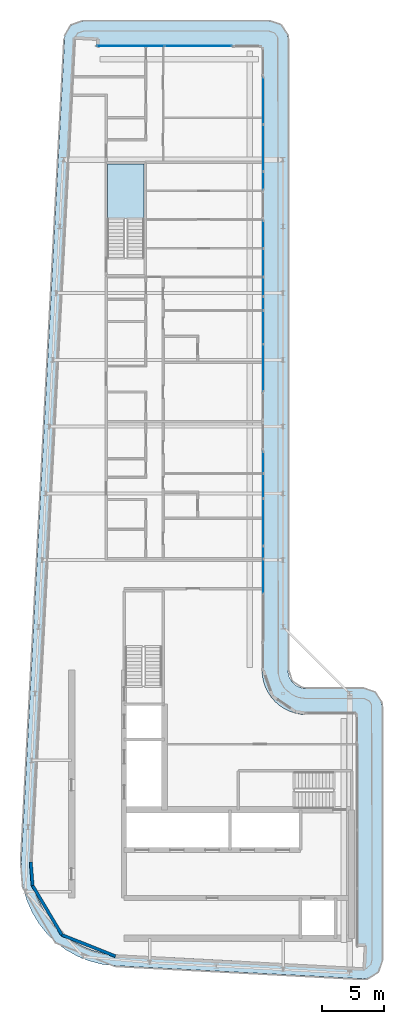
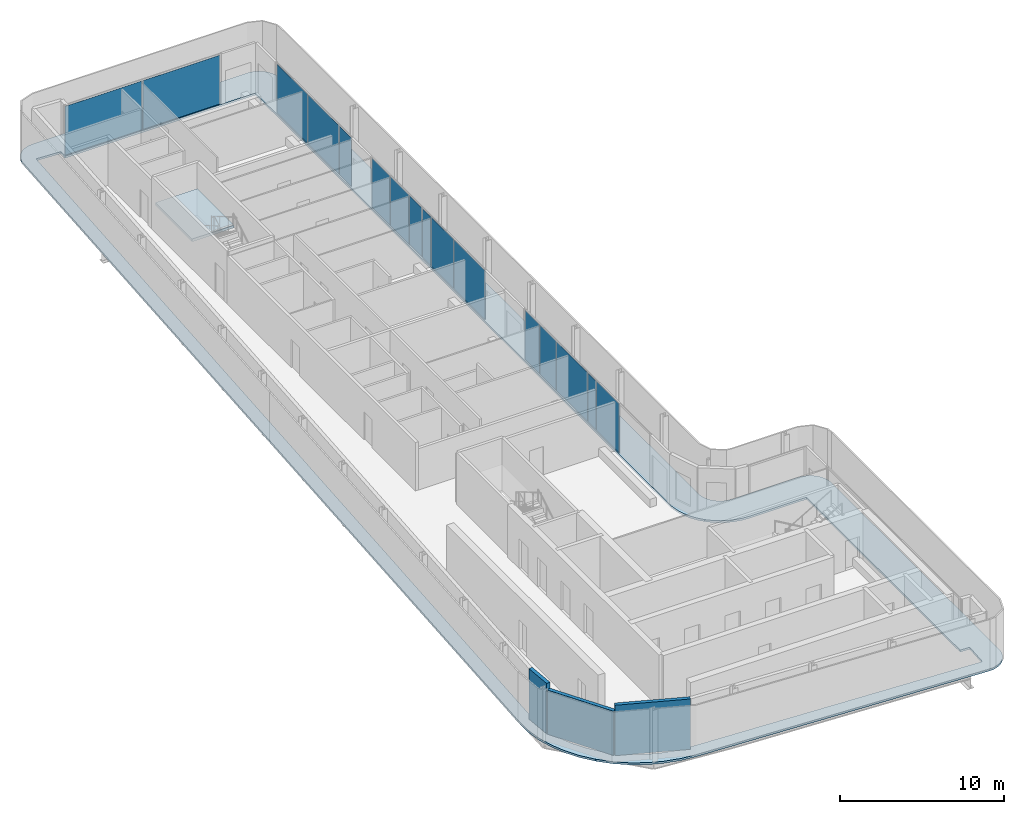
# One storey, part 8 of 18: 16 plates, 3 walls, 2 slabs, 8 elements without a shape of their own.
"""IFC4 building model written with IfcOpenShell, lengths in metres."""

import ifcopenshell
import ifcopenshell.guid

model = None  # the IFC model being written
_history = None  # IfcOwnerHistory: only IFC2X3 demands one
_inside = {}  # id of a spatial element -> (the spatial element, [elements in it])
_under = {}  # id of a project, library or spatial element -> (it, [spatial elements below it])
_declared = {}  # id of a project -> (the project, [libraries it declares])
_typed = {}  # id of a type object -> (the type object, [elements of that type])
_made_of = {}  # id of a material, layer set ... -> (it, [elements and type objects made of it])


def new_model(schema):
    """Start an empty IFC model of exactly this schema.

    Asked for "IFC4X3", IfcOpenShell would pick the latest addendum, in which some entities
    have other attributes; the version numbers below select the first issue.
    IFC2X3 requires an IfcOwnerHistory on every rooted entity: one is made here for all.
    """
    global model, _history
    if schema == "IFC4X3":
        model = ifcopenshell.file(schema_version=(4, 3, 0, 0))
    else:
        model = ifcopenshell.file(schema=schema)
    _inside.clear()
    _under.clear()
    _declared.clear()
    _typed.clear()
    _made_of.clear()
    _history = None
    if model.schema == "IFC2X3":
        org = make("IfcOrganization", Name="unknown")
        user = make(
            "IfcPersonAndOrganization",
            ThePerson=make("IfcPerson", FamilyName="unknown"),
            TheOrganization=org,
        )
        app = make(
            "IfcApplication",
            ApplicationDeveloper=org,
            Version="unknown",
            ApplicationFullName="unknown",
            ApplicationIdentifier="unknown",
        )
        _history = make(
            "IfcOwnerHistory",
            OwningUser=user,
            OwningApplication=app,
            ChangeAction="ADDED",
            CreationDate=0,
        )
    return model


def make(cls, **values):
    """One entity of the class cls with the attributes given. An attribute that is None is left unset."""
    return model.create_entity(
        cls, **{name: value for name, value in values.items() if value is not None}
    )


def rooted(cls, **values):
    """An entity with a GlobalId (a new one), such as an element, a storey or a relation."""
    return make(cls, GlobalId=ifcopenshell.guid.new(), OwnerHistory=_history, **values)


def si_unit(unit_type, name, prefix=None):
    """IfcSIUnit, for example si_unit("LENGTHUNIT", "METRE", prefix="MILLI")."""
    return make("IfcSIUnit", UnitType=unit_type, Prefix=prefix, Name=name)


def assignment(units):
    """IfcUnitAssignment: the units of a project."""
    return None if units is None else make("IfcUnitAssignment", Units=units)


def point(xyz):
    """IfcCartesianPoint."""
    return None if xyz is None else make("IfcCartesianPoint", Coordinates=xyz)


def direction(xyz):
    """IfcDirection."""
    return None if xyz is None else make("IfcDirection", DirectionRatios=xyz)


def frame(location, z_axis=None, x_axis=None):
    """IfcAxis2Placement3D, a coordinate frame: its origin and axes. An axis left out is left unset."""
    return make(
        "IfcAxis2Placement3D",
        Location=point(location),
        Axis=direction(z_axis),
        RefDirection=direction(x_axis),
    )


def frame_2d(location, x_axis=None):
    """IfcAxis2Placement2D, a coordinate frame in the plane: its origin and x axis."""
    return make(
        "IfcAxis2Placement2D", Location=point(location), RefDirection=direction(x_axis)
    )


def origin():
    """The frame at (0, 0, 0) with its axes left unset."""
    return frame((0.0, 0.0, 0.0))


def origin_2d():
    """The frame at (0, 0) in the plane with its x axis left unset."""
    return frame_2d((0.0, 0.0))


def place(relative_to, where):
    """IfcLocalPlacement: puts the frame where relative to a parent placement (None: the world)."""
    return make(
        "IfcLocalPlacement", PlacementRelTo=relative_to, RelativePlacement=where
    )


def context(
    kind, dimensions, precision=None, world=None, true_north=None, identifier=None
):
    """IfcGeometricRepresentationContext, for example the 3D "Model" context."""
    return make(
        "IfcGeometricRepresentationContext",
        ContextIdentifier=identifier,
        ContextType=kind,
        CoordinateSpaceDimension=dimensions,
        Precision=precision,
        WorldCoordinateSystem=world,
        TrueNorth=true_north,
    )


def subcontext(parent, identifier, kind, view, scale=None):
    """IfcGeometricRepresentationSubContext, for example "Body" below "Model"."""
    return make(
        "IfcGeometricRepresentationSubContext",
        ContextIdentifier=identifier,
        ContextType=kind,
        ParentContext=parent,
        TargetScale=scale,
        TargetView=view,
    )


def project(units=None, contexts=None):
    """IfcProject with its units and contexts."""
    return rooted(
        "IfcProject",
        Name="project",
        RepresentationContexts=contexts,
        UnitsInContext=assignment(units),
    )


def spatial(cls, under=None, at=None, **own):
    """A site, building, storey or space (cls), placed at a placement, below another one or the project."""
    s = rooted(cls, ObjectPlacement=at, **own)
    if under is not None:
        _under.setdefault(under.id(), (under, []))[1].append(s)
    return s


def polyline(points):
    """IfcPolyline through the points."""
    return make("IfcPolyline", Points=[point(p) for p in points])


def profile(cls, at=None, kind="AREA", **sizes):
    """A parametric profile (cls). Its sizes go by their IFC names, for example OverallWidth=200.0."""
    return make(cls, ProfileType=kind, Position=at, **sizes)


def rectangle(**sizes):
    """IfcRectangleProfileDef."""
    return profile("IfcRectangleProfileDef", **sizes)


def outline(outer, holes=None, kind="AREA"):
    """IfcArbitraryClosedProfileDef: a profile drawn as a closed curve; with holes, ...WithVoids."""
    if holes is None:
        return make("IfcArbitraryClosedProfileDef", ProfileType=kind, OuterCurve=outer)
    return make(
        "IfcArbitraryProfileDefWithVoids",
        ProfileType=kind,
        OuterCurve=outer,
        InnerCurves=holes,
    )


def extrude(swept, where, along, depth):
    """IfcExtrudedAreaSolid: the profile swept, set in the frame where, extruded along a direction by depth."""
    return make(
        "IfcExtrudedAreaSolid",
        SweptArea=swept,
        Position=where,
        ExtrudedDirection=direction(along),
        Depth=depth,
    )


def shape(context_of_items, identifier, shape_type, items):
    """IfcShapeRepresentation: the items that make up one representation, for example the "Body"."""
    return make(
        "IfcShapeRepresentation",
        ContextOfItems=context_of_items,
        RepresentationIdentifier=identifier,
        RepresentationType=shape_type,
        Items=items,
    )


def material(Name=None, Category=None):
    """IfcMaterial."""
    return make("IfcMaterial", Name=Name, Category=Category)


def layer(
    of_material, thickness, ventilated=None, Name=None, Category=None, Priority=None
):
    """IfcMaterialLayer: one layer of a wall or slab, of a material (None: an air gap)."""
    return make(
        "IfcMaterialLayer",
        Material=of_material,
        LayerThickness=thickness,
        IsVentilated=ventilated,
        Name=Name,
        Category=Category,
        Priority=Priority,
    )


def layer_set(layers, Name=None):
    """IfcMaterialLayerSet."""
    return make("IfcMaterialLayerSet", MaterialLayers=layers, LayerSetName=Name)


def made_of(thing, what):
    """Note that an element or type object is made of a material, layer set ...; save() writes the relation."""
    if what is not None:
        _made_of.setdefault(what.id(), (what, []))[1].append(thing)
    return thing


def type_object(cls, material=None, **own):
    """A type object (cls), such as IfcWallType, which elements share."""
    return made_of(rooted(cls, **own), material)


def element(
    cls,
    number,
    at=None,
    inside=None,
    cuts=None,
    type_object=None,
    material=None,
    context=None,
    identifier="Body",
    shape_type=None,
    held_by="IfcProductDefinitionShape",
    body=None,
    shapes=None,
    **own,
):
    """One element of the class cls, such as IfcWall. Its Tag is "e" and its number.

    at: its placement. inside: the storey or other place that contains it. cuts: it is an
    opening in that element (IfcRelVoidsElement). A single representation is given by context,
    identifier, shape_type and body (its items); several are given by shapes. held_by: the class
    of the entity that holds the representations. save() writes the other relations.
    """
    e = rooted(cls, Tag="e%d" % number, ObjectPlacement=at, **own)
    if body is not None:
        shapes = [shape(context, identifier, shape_type, body)]
    if shapes is not None:
        e.Representation = make(held_by, Representations=shapes)
    if inside is not None:
        _inside.setdefault(inside.id(), (inside, []))[1].append(e)
    if cuts is not None:
        rooted(
            "IfcRelVoidsElement", RelatingBuildingElement=cuts, RelatedOpeningElement=e
        )
    if type_object is not None:
        _typed.setdefault(type_object.id(), (type_object, []))[1].append(e)
    return made_of(e, material)


def aggregate(whole, parts):
    """IfcRelAggregates: a whole, such as a stair, and the parts it consists of."""
    return rooted("IfcRelAggregates", RelatingObject=whole, RelatedObjects=parts)


def save(model, path):
    """Write the relations noted so far, then the file.

    IfcRelAggregates (storeys below a building ...), IfcRelContainedInSpatialStructure (elements
    in a storey), IfcRelDefinesByType, IfcRelAssociatesMaterial and IfcRelDeclares: one each for
    every whole, place, type object, material and project.
    """
    for whole, parts in _under.values():
        aggregate(whole, parts)
    for where, things in _inside.values():
        rooted(
            "IfcRelContainedInSpatialStructure",
            RelatedElements=things,
            RelatingStructure=where,
        )
    for kind, things in _typed.values():
        rooted("IfcRelDefinesByType", RelatedObjects=things, RelatingType=kind)
    for what, things in _made_of.values():
        rooted("IfcRelAssociatesMaterial", RelatedObjects=things, RelatingMaterial=what)
    for by, libraries in _declared.values():
        rooted("IfcRelDeclares", RelatingContext=by, RelatedDefinitions=libraries)
    model.write(path)


model = new_model("IFC4")

# Units and contexts
model_context = context("Model", 3, precision=1e-05, world=origin(), true_north=direction((0.0, 1.0)))
body_context = subcontext(model_context, "Body", "Model", "MODEL_VIEW")
ifc_project = project(units=[si_unit("LENGTHUNIT", "METRE"), si_unit("AREAUNIT", "SQUARE_METRE"), si_unit("VOLUMEUNIT", "CUBIC_METRE"), si_unit("PLANEANGLEUNIT", "RADIAN"), si_unit("MASSUNIT", "GRAM", prefix="KILO")], contexts=[model_context])

# Site, building, storey
site_placement = place(None, origin())
site = spatial("IfcSite", under=ifc_project, at=site_placement, CompositionType="ELEMENT")
building_placement = place(site_placement, origin())
building = spatial("IfcBuilding", under=site, at=building_placement, Name="Kheshtan School and Residences Tower", CompositionType="ELEMENT")
storey_placement = place(building_placement, frame((0.0, 0.0, 377.300048828125)))
storey = spatial("IfcBuildingStorey", under=building, at=storey_placement, Name="L89", CompositionType="ELEMENT", Elevation=377.300048828125)

# Curtain wall, plates
ifc_material_1 = material(Name="Clear low-e glass in thermally broken aluminium frame", Category="aluminium")
ifc_layer_1 = layer(ifc_material_1, 0.199951171875)
ifc_layer_set_1 = layer_set([ifc_layer_1], Name="Curtain wall CW-L")
curtain_wall_type = type_object("IfcCurtainWallType", Name="Curtain wall CW-L", PredefinedType="NOTDEFINED", material=ifc_layer_set_1)
curtain_wall_1_placement = place(storey_placement, origin())
curtain_wall_1 = element("IfcCurtainWall", 1, at=curtain_wall_1_placement, inside=storey, type_object=curtain_wall_type, Name="Curtain wall CWL7", PredefinedType="NOTDEFINED")
ifc_layer_2 = layer(ifc_material_1, 0.031982421875)
ifc_layer_set_2 = layer_set([ifc_layer_2], Name="CW-L glass panel")
plate_type = type_object("IfcPlateType", Name="CW-L glass panel", PredefinedType="CURTAIN_PANEL", material=ifc_layer_set_2)
plate_1_placement = place(storey_placement, frame((35.259033203125, 98.0, 0.0), z_axis=(0.0, 0.0, 1.0), x_axis=(1.0, 0.0, 0.0)))
plate_1 = element("IfcPlate", 2, at=plate_1_placement, type_object=plate_type, Name="CWL7 panel 1.1", PredefinedType="CURTAIN_PANEL", context=body_context, shape_type="SweptSolid", body=[
    extrude(rectangle(XDim=5.4140625, YDim=0.031982421875, at=origin_2d()), origin(), (0.0, 0.0, 1.0), 3.6298828125),
])
plate_2_placement = place(storey_placement, frame((40.73291015625, 98.0, 0.0), z_axis=(0.0, 0.0, 1.0), x_axis=(1.0, 0.0, 0.0)))
plate_2 = element("IfcPlate", 3, at=plate_2_placement, type_object=plate_type, Name="CWL7 panel 2.1", PredefinedType="CURTAIN_PANEL", context=body_context, shape_type="SweptSolid", body=[
    extrude(rectangle(XDim=5.4140625, YDim=0.031982421875, at=origin_2d()), origin(), (0.0, 0.0, 1.0), 3.6298828125),
])
aggregate(curtain_wall_1, [plate_1, plate_2])

curtain_wall_2_placement = place(storey_placement, origin())
curtain_wall_2 = element("IfcCurtainWall", 4, at=curtain_wall_2_placement, inside=storey, type_object=curtain_wall_type, Name="Curtain wall CWL8", PredefinedType="NOTDEFINED")
plate_3_placement = place(storey_placement, frame((46.0, 93.5615234375, 0.0), z_axis=(0.0, 0.0, 1.0), x_axis=(0.0, -1.0, 0.0)))
plate_3 = element("IfcPlate", 5, at=plate_3_placement, type_object=plate_type, Name="CWL8 panel 1.1", PredefinedType="CURTAIN_PANEL", context=body_context, shape_type="SweptSolid", body=[
    extrude(rectangle(XDim=3.757080078125, YDim=0.031982421875, at=origin_2d()), origin(), (0.0, 0.0, 1.0), 3.6298828125),
])
plate_4_placement = place(storey_placement, frame((46.0, 89.744384765625, 0.0), z_axis=(0.0, 0.0, 1.0), x_axis=(0.0, -1.0, 0.0)))
plate_4 = element("IfcPlate", 6, at=plate_4_placement, type_object=plate_type, Name="CWL8 panel 2.1", PredefinedType="CURTAIN_PANEL", context=body_context, shape_type="SweptSolid", body=[
    extrude(rectangle(XDim=3.757080078125, YDim=0.031982421875, at=origin_2d()), origin(), (0.0, 0.0, 1.0), 3.6298828125),
])
aggregate(curtain_wall_2, [plate_3, plate_4])

# Curtain wall, plate
curtain_wall_3_placement = place(storey_placement, origin())
curtain_wall_3 = element("IfcCurtainWall", 7, at=curtain_wall_3_placement, inside=storey, type_object=curtain_wall_type, Name="Curtain wall CWL8a", PredefinedType="NOTDEFINED")
plate_5_placement = place(storey_placement, frame((46.0, 87.0859375, 0.0), z_axis=(0.0, 0.0, 1.0), x_axis=(0.0, -1.0, 0.0)))
plate_5 = element("IfcPlate", 8, at=plate_5_placement, type_object=plate_type, Name="CWL8a panel 1.1", PredefinedType="CURTAIN_PANEL", context=body_context, shape_type="SweptSolid", body=[
    extrude(rectangle(XDim=1.43994140625, YDim=0.031982421875, at=origin_2d()), origin(), (0.0, 0.0, 1.0), 3.6298828125),
])
aggregate(curtain_wall_3, [plate_5])

# Curtain wall, plates
curtain_wall_4_placement = place(storey_placement, origin())
curtain_wall_4 = element("IfcCurtainWall", 9, at=curtain_wall_4_placement, inside=storey, type_object=curtain_wall_type, Name="Curtain wall CWL8b", PredefinedType="NOTDEFINED")
plate_6_placement = place(storey_placement, frame((46.0, 82.75048828125, 0.0), z_axis=(0.0, 0.0, 1.0), x_axis=(0.0, -1.0, 0.0)))
plate_6 = element("IfcPlate", 10, at=plate_6_placement, type_object=plate_type, Name="CWL8b panel 1.1", PredefinedType="CURTAIN_PANEL", context=body_context, shape_type="SweptSolid", body=[
    extrude(rectangle(XDim=2.19091796875, YDim=0.031982421875, at=origin_2d()), origin(), (0.0, 0.0, 1.0), 3.6298828125),
])
plate_7_placement = place(storey_placement, frame((46.0, 80.46240234375, 0.0), z_axis=(0.0, 0.0, 1.0), x_axis=(0.0, -1.0, 0.0)))
plate_7 = element("IfcPlate", 11, at=plate_7_placement, type_object=plate_type, Name="CWL8b panel 2.1", PredefinedType="CURTAIN_PANEL", context=body_context, shape_type="SweptSolid", body=[
    extrude(rectangle(XDim=2.264892578125, YDim=0.031982421875, at=origin_2d()), origin(), (0.0, 0.0, 1.0), 3.6298828125),
])
plate_8_placement = place(storey_placement, frame((46.0, 78.52099609375, 0.0), z_axis=(0.0, 0.0, 1.0), x_axis=(0.0, -1.0, 0.0)))
plate_8 = element("IfcPlate", 12, at=plate_8_placement, type_object=plate_type, Name="CWL8b panel 3.1", PredefinedType="CURTAIN_PANEL", context=body_context, shape_type="SweptSolid", body=[
    extrude(rectangle(XDim=1.498046875, YDim=0.031982421875, at=origin_2d()), origin(), (0.0, 0.0, 1.0), 3.6298828125),
])
aggregate(curtain_wall_4, [plate_6, plate_7, plate_8])

curtain_wall_5_placement = place(storey_placement, origin())
curtain_wall_5 = element("IfcCurtainWall", 13, at=curtain_wall_5_placement, inside=storey, type_object=curtain_wall_type, Name="Curtain wall CWL8c", PredefinedType="NOTDEFINED")
plate_9_placement = place(storey_placement, frame((46.0, 77.1708984375, 0.0), z_axis=(0.0, 0.0, 1.0), x_axis=(0.0, -1.0, 0.0)))
plate_9 = element("IfcPlate", 14, at=plate_9_placement, type_object=plate_type, Name="CWL8c panel 1.1", PredefinedType="CURTAIN_PANEL", context=body_context, shape_type="SweptSolid", body=[
    extrude(rectangle(XDim=1.08203125, YDim=0.031982421875, at=origin_2d()), origin(), (0.0, 0.0, 1.0), 3.6298828125),
])
plate_10_placement = place(storey_placement, frame((46.0, 75.232421875, 0.0), z_axis=(0.0, 0.0, 1.0), x_axis=(0.0, -1.0, 0.0)))
plate_10 = element("IfcPlate", 15, at=plate_10_placement, type_object=plate_type, Name="CWL8c panel 2.1", PredefinedType="CURTAIN_PANEL", context=body_context, shape_type="SweptSolid", body=[
    extrude(rectangle(XDim=2.675048828125, YDim=0.031982421875, at=origin_2d()), origin(), (0.0, 0.0, 1.0), 3.6298828125),
])
plate_11_placement = place(storey_placement, frame((46.0, 71.95654296875, 0.0), z_axis=(0.0, 0.0, 1.0), x_axis=(0.0, -1.0, 0.0)))
plate_11 = element("IfcPlate", 16, at=plate_11_placement, type_object=plate_type, Name="CWL8c panel 3.1", PredefinedType="CURTAIN_PANEL", context=body_context, shape_type="SweptSolid", body=[
    extrude(rectangle(XDim=3.757080078125, YDim=0.031982421875, at=origin_2d()), origin(), (0.0, 0.0, 1.0), 3.6298828125),
])
aggregate(curtain_wall_5, [plate_9, plate_10, plate_11])

curtain_wall_6_placement = place(storey_placement, origin())
curtain_wall_6 = element("IfcCurtainWall", 17, at=curtain_wall_6_placement, inside=storey, type_object=curtain_wall_type, Name="Curtain wall CWL8c", PredefinedType="NOTDEFINED")
plate_12_placement = place(storey_placement, frame((46.0, 64.2939453125, 0.0), z_axis=(0.0, 0.0, 1.0), x_axis=(0.0, -1.0, 0.0)))
plate_12 = element("IfcPlate", 18, at=plate_12_placement, type_object=plate_type, Name="CWL8c panel 1.1", PredefinedType="CURTAIN_PANEL", context=body_context, shape_type="SweptSolid", body=[
    extrude(rectangle(XDim=1.72802734375, YDim=0.031982421875, at=origin_2d()), origin(), (0.0, 0.0, 1.0), 3.6298828125),
])
plate_13_placement = place(storey_placement, frame((46.0, 62.385498046875, 0.0), z_axis=(0.0, 0.0, 1.0), x_axis=(0.0, -1.0, 0.0)))
plate_13 = element("IfcPlate", 19, at=plate_13_placement, type_object=plate_type, Name="CWL8c panel 2.1", PredefinedType="CURTAIN_PANEL", context=body_context, shape_type="SweptSolid", body=[
    extrude(rectangle(XDim=1.968994140625, YDim=0.031982421875, at=origin_2d()), origin(), (0.0, 0.0, 1.0), 3.6298828125),
])
plate_14_placement = place(storey_placement, frame((46.0, 59.46240234375, 0.0), z_axis=(0.0, 0.0, 1.0), x_axis=(0.0, -1.0, 0.0)))
plate_14 = element("IfcPlate", 20, at=plate_14_placement, type_object=plate_type, Name="CWL8c panel 3.1", PredefinedType="CURTAIN_PANEL", context=body_context, shape_type="SweptSolid", body=[
    extrude(rectangle(XDim=3.757080078125, YDim=0.031982421875, at=origin_2d()), origin(), (0.0, 0.0, 1.0), 3.6298828125),
])
aggregate(curtain_wall_6, [plate_12, plate_13, plate_14])

curtain_wall_7_placement = place(storey_placement, origin())
curtain_wall_7 = element("IfcCurtainWall", 21, at=curtain_wall_7_placement, inside=storey, type_object=curtain_wall_type, Name="Curtain wall CWL8c", PredefinedType="NOTDEFINED")
plate_15_placement = place(storey_placement, frame((46.0, 57.027099609375, 0.0), z_axis=(0.0, 0.0, 1.0), x_axis=(0.0, -1.0, 0.0)))
plate_15 = element("IfcPlate", 22, at=plate_15_placement, type_object=plate_type, Name="CWL8c panel 1.1", PredefinedType="CURTAIN_PANEL", context=body_context, shape_type="SweptSolid", body=[
    extrude(rectangle(XDim=0.993896484375, YDim=0.031982421875, at=origin_2d()), origin(), (0.0, 0.0, 1.0), 3.6298828125),
])
plate_16_placement = place(storey_placement, frame((46.0, 55.08837890625, 0.0), z_axis=(0.0, 0.0, 1.0), x_axis=(0.0, -1.0, 0.0)))
plate_16 = element("IfcPlate", 23, at=plate_16_placement, type_object=plate_type, Name="CWL8c panel 2.1", PredefinedType="CURTAIN_PANEL", context=body_context, shape_type="SweptSolid", body=[
    extrude(rectangle(XDim=2.762939453125, YDim=0.031982421875, at=origin_2d()), origin(), (0.0, 0.0, 1.0), 3.6298828125),
])
aggregate(curtain_wall_7, [plate_15, plate_16])

# Slab
ifc_material_2 = material(Name="Concrete C40/50", Category="concrete")
ifc_layer_3 = layer(ifc_material_2, 0.14990234375)
ifc_layer_set_3 = layer_set([ifc_layer_3], Name="Loggia balcony slab 150 Concrete C40/50")
slab_type_1 = type_object("IfcSlabType", Name="Loggia balcony slab 150 Concrete C40/50", PredefinedType="FLOOR", material=ifc_layer_set_3)
slab_1_placement = place(storey_placement, frame((0.0, 0.0, -0.150146484375)))
element("IfcSlab", 24, at=slab_1_placement, inside=storey, type_object=slab_type_1, Name="Loggia balcony slab L89", PredefinedType="FLOOR", context=body_context, shape_type="SweptSolid", body=[
    extrude(outline(polyline([(28.4580078125, 26.222900390625), (28.45703125, 26.222900390625), (28.45703125, 26.22412109375), (28.4560546875, 26.22412109375), (27.81494140625, 27.0390625), (27.281005859375, 27.93798828125), (26.867919921875, 28.89990234375), (26.583984375, 29.89990234375), (26.583984375, 29.906982421875), (26.43408203125, 30.943115234375), (26.419921875, 31.989013671875), (29.925048828125, 98.5791015625), (29.930908203125, 98.626953125), (29.930908203125, 98.6279296875), (29.929931640625, 98.6279296875), (29.929931640625, 98.62890625), (29.928955078125, 98.62890625), (29.928955078125, 98.6298828125), (29.927978515625, 98.6298828125), (29.927978515625, 98.631103515625), (29.927001953125, 98.631103515625), (29.927001953125, 98.632080078125), (29.927001953125, 98.633056640625), (29.945068359375, 98.781005859375), (29.945068359375, 98.783935546875), (29.945068359375, 98.784912109375), (29.946044921875, 98.784912109375), (29.946044921875, 98.785888671875), (29.947021484375, 98.785888671875), (29.947021484375, 98.787109375), (29.947998046875, 98.787109375), (29.948974609375, 98.787109375), (29.948974609375, 98.7880859375), (29.949951171875, 98.7880859375), (29.949951171875, 98.7890625), (29.949951171875, 98.791015625), (30.0029296875, 98.98388671875), (30.083984375, 99.175048828125), (30.18896484375, 99.35302734375), (30.31103515625, 99.507080078125), (30.31201171875, 99.507080078125), (30.31201171875, 99.508056640625), (30.31298828125, 99.508056640625), (30.31298828125, 99.509033203125), (30.31396484375, 99.509033203125), (30.31396484375, 99.510009765625), (30.31494140625, 99.510009765625), (30.31494140625, 99.510986328125), (30.31591796875, 99.510986328125), (30.31591796875, 99.511962890625), (30.31689453125, 99.511962890625), (30.31689453125, 99.512939453125), (30.318115234375, 99.512939453125), (30.320068359375, 99.512939453125), (30.321044921875, 99.512939453125), (30.321044921875, 99.513916015625), (30.468017578125, 99.656982421875), (30.468994140625, 99.656982421875), (30.468994140625, 99.657958984375), (30.469970703125, 99.657958984375), (30.469970703125, 99.658935546875), (30.470947265625, 99.658935546875), (30.470947265625, 99.659912109375), (30.471923828125, 99.659912109375), (30.471923828125, 99.660888671875), (30.472900390625, 99.660888671875), (30.472900390625, 99.662109375), (30.47412109375, 99.662109375), (30.47412109375, 99.6630859375), (30.47509765625, 99.6630859375), (30.47509765625, 99.6640625), (30.635986328125, 99.777099609375), (30.820068359375, 99.873046875), (31.007080078125, 99.943115234375), (31.013916015625, 99.943115234375), (31.217041015625, 99.986083984375), (31.423095703125, 100.0), (46.5, 100.0), (46.696044921875, 99.987060546875), (46.887939453125, 99.948974609375), (46.89501953125, 99.948974609375), (47.073974609375, 99.885986328125), (47.242919921875, 99.801025390625), (47.243896484375, 99.801025390625), (47.2470703125, 99.801025390625), (47.248046875, 99.801025390625), (47.248046875, 99.802001953125), (47.2490234375, 99.802001953125), (47.2490234375, 99.802978515625), (47.25, 99.802978515625), (47.2529296875, 99.802978515625), (47.25390625, 99.802978515625), (47.25390625, 99.802001953125), (47.2548828125, 99.802001953125), (47.2548828125, 99.801025390625), (47.256103515625, 99.801025390625), (47.256103515625, 99.800048828125), (47.257080078125, 99.800048828125), (47.257080078125, 99.799072265625), (47.258056640625, 99.799072265625), (47.258056640625, 99.798095703125), (47.412109375, 99.696044921875), (47.4130859375, 99.696044921875), (47.4130859375, 99.695068359375), (47.4140625, 99.695068359375), (47.4140625, 99.694091796875), (47.4140625, 99.68994140625), (47.4140625, 99.68896484375), (47.4150390625, 99.68896484375), (47.4150390625, 99.68798828125), (47.416015625, 99.68798828125), (47.416015625, 99.68701171875), (47.4169921875, 99.68701171875), (47.4169921875, 99.68603515625), (47.554931640625, 99.568115234375), (47.554931640625, 99.56689453125), (47.555908203125, 99.56689453125), (47.555908203125, 99.56591796875), (47.556884765625, 99.56591796875), (47.556884765625, 99.56494140625), (47.55810546875, 99.56494140625), (47.55810546875, 99.56396484375), (47.55908203125, 99.56396484375), (47.55908203125, 99.56298828125), (47.56005859375, 99.56298828125), (47.56005859375, 99.56201171875), (47.56103515625, 99.56201171875), (47.56201171875, 99.56103515625), (47.56201171875, 99.56005859375), (47.56298828125, 99.56005859375), (47.56298828125, 99.55908203125), (47.56396484375, 99.55908203125), (47.56396484375, 99.55810546875), (47.56494140625, 99.55810546875), (47.56494140625, 99.556884765625), (47.56591796875, 99.556884765625), (47.56591796875, 99.555908203125), (47.56689453125, 99.555908203125), (47.56689453125, 99.554931640625), (47.568115234375, 99.554931640625), (47.68505859375, 99.41796875), (47.68603515625, 99.41796875), (47.68603515625, 99.4169921875), (47.68701171875, 99.4169921875), (47.68701171875, 99.416015625), (47.68798828125, 99.416015625), (47.68798828125, 99.4150390625), (47.68896484375, 99.4150390625), (47.68896484375, 99.4140625), (47.68994140625, 99.4140625), (47.694091796875, 99.4140625), (47.695068359375, 99.4140625), (47.695068359375, 99.4130859375), (47.696044921875, 99.4130859375), (47.696044921875, 99.412109375), (47.797119140625, 99.259033203125), (47.798095703125, 99.259033203125), (47.798095703125, 99.258056640625), (47.799072265625, 99.258056640625), (47.799072265625, 99.257080078125), (47.800048828125, 99.257080078125), (47.800048828125, 99.256103515625), (47.801025390625, 99.256103515625), (47.801025390625, 99.2548828125), (47.802001953125, 99.2548828125), (47.802001953125, 99.25390625), (47.802978515625, 99.25390625), (47.802978515625, 99.2529296875), (47.802978515625, 99.25), (47.802978515625, 99.2490234375), (47.802001953125, 99.2490234375), (47.802001953125, 99.248046875), (47.801025390625, 99.248046875), (47.801025390625, 99.2470703125), (47.801025390625, 99.243896484375), (47.801025390625, 99.242919921875), (47.885986328125, 99.073974609375), (47.948974609375, 98.89501953125), (47.948974609375, 98.887939453125), (47.987060546875, 98.696044921875), (48.0, 98.5), (48.0, 47.5), (48.012939453125, 47.303955078125), (48.051025390625, 47.113037109375), (48.051025390625, 47.10693359375), (48.051025390625, 47.10595703125), (48.114013671875, 46.926025390625), (48.200927734375, 46.75), (48.31005859375, 46.5869140625), (48.431884765625, 46.444091796875), (48.43310546875, 46.444091796875), (48.43310546875, 46.443115234375), (48.43408203125, 46.443115234375), (48.43408203125, 46.44189453125), (48.43505859375, 46.44189453125), (48.43505859375, 46.44091796875), (48.43603515625, 46.44091796875), (48.43603515625, 46.43994140625), (48.43701171875, 46.43994140625), (48.43701171875, 46.43896484375), (48.43798828125, 46.43896484375), (48.43896484375, 46.43798828125), (48.43896484375, 46.43701171875), (48.43994140625, 46.43701171875), (48.43994140625, 46.43603515625), (48.44091796875, 46.43603515625), (48.44091796875, 46.43505859375), (48.44189453125, 46.43505859375), (48.44189453125, 46.43408203125), (48.443115234375, 46.43408203125), (48.443115234375, 46.43310546875), (48.444091796875, 46.43310546875), (48.444091796875, 46.431884765625), (48.5869140625, 46.31005859375), (48.75, 46.200927734375), (48.926025390625, 46.114013671875), (49.10595703125, 46.051025390625), (49.10693359375, 46.051025390625), (49.113037109375, 46.051025390625), (49.303955078125, 46.012939453125), (49.5, 46.0), (54.10009765625, 46.0), (54.2958984375, 45.987060546875), (54.488037109375, 45.948974609375), (54.4951171875, 45.948974609375), (54.674072265625, 45.885986328125), (54.842041015625, 45.801025390625), (54.843017578125, 45.801025390625), (54.846923828125, 45.801025390625), (54.847900390625, 45.801025390625), (54.847900390625, 45.802001953125), (54.84912109375, 45.802001953125), (54.84912109375, 45.802978515625), (54.85009765625, 45.802978515625), (54.85302734375, 45.802978515625), (54.85400390625, 45.802978515625), (54.85400390625, 45.802001953125), (54.85498046875, 45.802001953125), (54.85498046875, 45.801025390625), (54.85595703125, 45.801025390625), (54.85595703125, 45.800048828125), (54.85693359375, 45.800048828125), (54.85693359375, 45.799072265625), (54.85791015625, 45.799072265625), (54.85791015625, 45.798095703125), (54.85888671875, 45.798095703125), (54.85888671875, 45.797119140625), (54.860107421875, 45.797119140625), (54.860107421875, 45.7958984375), (55.011962890625, 45.696044921875), (55.012939453125, 45.696044921875), (55.012939453125, 45.695068359375), (55.013916015625, 45.695068359375), (55.013916015625, 45.694091796875), (55.013916015625, 45.68994140625), (55.013916015625, 45.68896484375), (55.014892578125, 45.68896484375), (55.014892578125, 45.68798828125), (55.01611328125, 45.68798828125), (55.01611328125, 45.68701171875), (55.01708984375, 45.68701171875), (55.01708984375, 45.68603515625), (55.01806640625, 45.68603515625), (55.01806640625, 45.68505859375), (55.01904296875, 45.68505859375), (55.01904296875, 45.68408203125), (55.155029296875, 45.568115234375), (55.155029296875, 45.56689453125), (55.156005859375, 45.56689453125), (55.156005859375, 45.56591796875), (55.156982421875, 45.56591796875), (55.156982421875, 45.56494140625), (55.157958984375, 45.56494140625), (55.157958984375, 45.56396484375), (55.158935546875, 45.56396484375), (55.158935546875, 45.56298828125), (55.159912109375, 45.56298828125), (55.159912109375, 45.56201171875), (55.160888671875, 45.56201171875), (55.162109375, 45.56103515625), (55.162109375, 45.56005859375), (55.1630859375, 45.56005859375), (55.1630859375, 45.55908203125), (55.1640625, 45.55908203125), (55.1640625, 45.55810546875), (55.1650390625, 45.55810546875), (55.1650390625, 45.556884765625), (55.166015625, 45.556884765625), (55.166015625, 45.555908203125), (55.1669921875, 45.555908203125), (55.1669921875, 45.554931640625), (55.16796875, 45.554931640625), (55.281982421875, 45.4208984375), (55.282958984375, 45.4208984375), (55.282958984375, 45.419921875), (55.283935546875, 45.419921875), (55.283935546875, 45.4189453125), (55.284912109375, 45.4189453125), (55.284912109375, 45.41796875), (55.285888671875, 45.41796875), (55.285888671875, 45.4169921875), (55.287109375, 45.4169921875), (55.287109375, 45.416015625), (55.2880859375, 45.416015625), (55.2880859375, 45.4150390625), (55.2890625, 45.4150390625), (55.2890625, 45.4140625), (55.2900390625, 45.4140625), (55.2939453125, 45.4140625), (55.294921875, 45.4140625), (55.294921875, 45.4130859375), (55.2958984375, 45.4130859375), (55.2958984375, 45.412109375), (55.39404296875, 45.261962890625), (55.39501953125, 45.261962890625), (55.39501953125, 45.260986328125), (55.39599609375, 45.260986328125), (55.39599609375, 45.260009765625), (55.39697265625, 45.260009765625), (55.39697265625, 45.259033203125), (55.39794921875, 45.259033203125), (55.39794921875, 45.258056640625), (55.39892578125, 45.258056640625), (55.39892578125, 45.257080078125), (55.39990234375, 45.257080078125), (55.39990234375, 45.256103515625), (55.40087890625, 45.256103515625), (55.40087890625, 45.2548828125), (55.402099609375, 45.2548828125), (55.402099609375, 45.25390625), (55.403076171875, 45.25390625), (55.403076171875, 45.2529296875), (55.403076171875, 45.25), (55.403076171875, 45.2490234375), (55.402099609375, 45.2490234375), (55.402099609375, 45.248046875), (55.40087890625, 45.248046875), (55.40087890625, 45.2470703125), (55.40087890625, 45.240966796875), (55.40087890625, 45.239990234375), (55.486083984375, 45.073974609375), (55.549072265625, 44.89501953125), (55.549072265625, 44.887939453125), (55.5869140625, 44.696044921875), (55.60009765625, 44.5), (55.60009765625, 24.02294921875), (55.5859375, 23.821044921875), (55.544921875, 23.6220703125), (55.544921875, 23.614990234375), (55.47802734375, 23.430908203125), (55.385986328125, 23.25), (55.27099609375, 23.0849609375), (55.27099609375, 23.083984375), (55.27099609375, 23.0830078125), (55.27099609375, 23.08203125), (55.27197265625, 23.08203125), (55.27197265625, 23.0810546875), (55.27197265625, 23.0791015625), (55.27197265625, 23.077880859375), (55.27099609375, 23.077880859375), (55.27099609375, 23.076904296875), (55.137939453125, 22.93408203125), (55.135009765625, 22.930908203125), (55.134033203125, 22.930908203125), (55.134033203125, 22.929931640625), (55.133056640625, 22.929931640625), (55.131103515625, 22.929931640625), (55.1298828125, 22.929931640625), (55.1298828125, 22.930908203125), (55.12890625, 22.930908203125), (55.1279296875, 22.930908203125), (55.126953125, 22.930908203125), (54.97607421875, 22.805908203125), (54.803955078125, 22.698974609375), (54.618896484375, 22.615966796875), (54.430908203125, 22.55908203125), (54.424072265625, 22.55908203125), (54.22412109375, 22.528076171875), (54.02099609375, 22.52490234375), (33.989013671875, 23.580078125), (33.94189453125, 23.5859375), (33.94091796875, 23.5859375), (33.93994140625, 23.5859375), (33.93994140625, 23.5849609375), (33.93896484375, 23.5849609375), (33.93896484375, 23.583984375), (33.93798828125, 23.583984375), (33.93798828125, 23.5830078125), (33.93701171875, 23.5830078125), (33.93701171875, 23.58203125), (33.93603515625, 23.58203125), (33.93505859375, 23.58203125), (32.952880859375, 23.697998046875), (32.949951171875, 23.697998046875), (32.948974609375, 23.697998046875), (32.948974609375, 23.698974609375), (32.947998046875, 23.698974609375), (32.947998046875, 23.699951171875), (32.947021484375, 23.699951171875), (32.947021484375, 23.700927734375), (32.947021484375, 23.702880859375), (32.947021484375, 23.7041015625), (32.946044921875, 23.7041015625), (32.946044921875, 23.705078125), (32.945068359375, 23.705078125), (32.944091796875, 23.705078125), (31.93603515625, 23.9609375), (31.928955078125, 23.9609375), (30.964111328125, 24.34912109375), (30.051025390625, 24.860107421875), (29.218994140625, 25.47900390625), (29.218994140625, 25.47998046875), (29.218017578125, 25.47998046875), (29.218017578125, 25.48095703125), (29.217041015625, 25.48095703125), (29.217041015625, 25.48193359375), (29.216064453125, 25.48193359375), (29.216064453125, 25.48291015625), (29.215087890625, 25.48291015625), (29.215087890625, 25.48388671875), (29.214111328125, 25.48388671875), (29.214111328125, 25.485107421875), (29.212890625, 25.485107421875), (29.212890625, 25.486083984375), (29.2119140625, 25.486083984375), (28.466064453125, 26.217041015625), (28.466064453125, 26.218017578125), (28.465087890625, 26.218017578125), (28.462890625, 26.218017578125), (28.4619140625, 26.218017578125), (28.4619140625, 26.218994140625), (28.4609375, 26.218994140625), (28.4609375, 26.219970703125), (28.4599609375, 26.219970703125), (28.4599609375, 26.220947265625), (28.458984375, 26.220947265625), (28.458984375, 26.221923828125), (28.4580078125, 26.221923828125), (28.4580078125, 26.222900390625)]), holes=[polyline([(29.12890625, 26.824951171875), (29.12890625, 26.823974609375), (29.1298828125, 26.823974609375), (29.1298828125, 26.822998046875), (29.131103515625, 26.822998046875), (29.131103515625, 26.822021484375), (29.132080078125, 26.822021484375), (29.132080078125, 26.821044921875), (29.133056640625, 26.821044921875), (29.133056640625, 26.820068359375), (29.134033203125, 26.820068359375), (29.794921875, 26.173095703125), (29.794921875, 26.172119140625), (29.7958984375, 26.172119140625), (29.798095703125, 26.172119140625), (29.799072265625, 26.172119140625), (29.799072265625, 26.1708984375), (29.800048828125, 26.1708984375), (29.800048828125, 26.169921875), (29.801025390625, 26.169921875), (29.801025390625, 26.1689453125), (29.802001953125, 26.1689453125), (29.802001953125, 26.16796875), (29.802978515625, 26.16796875), (29.802978515625, 26.1669921875), (29.803955078125, 26.1669921875), (29.803955078125, 26.166015625), (30.541015625, 25.616943359375), (31.35205078125, 25.1630859375), (32.208984375, 24.819091796875), (32.2099609375, 24.819091796875), (32.216064453125, 24.819091796875), (33.114990234375, 24.590087890625), (34.06591796875, 24.47705078125), (54.0380859375, 23.425048828125), (54.06494140625, 23.426025390625), (54.06591796875, 23.426025390625), (54.06689453125, 23.426025390625), (54.06689453125, 23.427001953125), (54.068115234375, 23.427001953125), (54.068115234375, 23.427978515625), (54.068115234375, 23.428955078125), (54.157958984375, 25.117919921875), (54.157958984375, 25.118896484375), (54.157958984375, 25.1201171875), (54.156982421875, 25.1201171875), (54.156982421875, 25.12109375), (54.156005859375, 25.12109375), (54.155029296875, 25.12109375), (53.5009765625, 25.156005859375), (53.5, 25.156005859375), (53.5, 25.156982421875), (53.5, 43.89794921875), (53.5, 43.89892578125), (53.4990234375, 43.89892578125), (53.4990234375, 43.89990234375), (53.498046875, 43.89990234375), (49.429931640625, 43.89990234375), (49.030029296875, 43.927001953125), (48.569091796875, 44.01806640625), (48.56201171875, 44.01806640625), (48.1201171875, 44.169921875), (47.697021484375, 44.37890625), (47.30810546875, 44.638916015625), (46.95703125, 44.944091796875), (46.95703125, 44.945068359375), (46.9560546875, 44.945068359375), (46.9560546875, 44.946044921875), (46.955078125, 44.946044921875), (46.955078125, 44.947021484375), (46.9541015625, 44.947021484375), (46.9541015625, 44.947998046875), (46.952880859375, 44.947998046875), (46.952880859375, 44.948974609375), (46.951904296875, 44.948974609375), (46.951904296875, 44.949951171875), (46.951904296875, 44.950927734375), (46.950927734375, 44.950927734375), (46.950927734375, 44.951904296875), (46.949951171875, 44.951904296875), (46.948974609375, 44.951904296875), (46.948974609375, 44.952880859375), (46.947998046875, 44.952880859375), (46.947998046875, 44.9541015625), (46.947021484375, 44.9541015625), (46.947021484375, 44.955078125), (46.946044921875, 44.955078125), (46.946044921875, 44.9560546875), (46.945068359375, 44.9560546875), (46.945068359375, 44.95703125), (46.944091796875, 44.95703125), (46.638916015625, 45.30810546875), (46.37890625, 45.697021484375), (46.169921875, 46.1201171875), (46.01806640625, 46.56201171875), (46.01806640625, 46.569091796875), (45.927001953125, 47.030029296875), (45.89990234375, 47.429931640625), (45.89990234375, 97.89794921875), (45.89990234375, 97.89892578125), (45.89892578125, 97.89892578125), (45.89892578125, 97.89990234375), (45.89794921875, 97.89990234375), (32.492919921875, 97.89990234375), (32.491943359375, 97.89990234375), (32.52099609375, 98.43896484375), (32.52099609375, 98.43994140625), (32.52099609375, 98.44091796875), (32.52001953125, 98.44091796875), (32.52001953125, 98.44189453125), (32.51904296875, 98.44189453125), (32.51806640625, 98.44189453125), (30.8291015625, 98.531982421875), (30.827880859375, 98.531982421875), (30.826904296875, 98.531982421875), (30.826904296875, 98.531005859375), (30.825927734375, 98.531005859375), (30.825927734375, 98.530029296875), (30.825927734375, 98.529052734375), (30.822021484375, 98.5009765625), (27.320068359375, 31.970947265625), (27.3330078125, 31.013916015625), (27.466064453125, 30.093994140625), (27.466064453125, 30.087890625), (27.466064453125, 30.0869140625), (27.718017578125, 29.200927734375), (28.0849609375, 28.345947265625), (28.55908203125, 27.550048828125), (29.126953125, 26.825927734375), (29.1279296875, 26.825927734375), (29.1279296875, 26.824951171875), (29.12890625, 26.824951171875)])]), origin(), (0.0, 0.0, 1.0), 0.150146484375),
])

# Stair, slab
stair_type = type_object("IfcStairType", Name="Exit stair, half-turn", PredefinedType="HALF_TURN_STAIR", material=ifc_material_2)
stair_placement = place(storey_placement, origin())
stair = element("IfcStair", 25, at=stair_placement, inside=storey, type_object=stair_type, Name="L89 Protected Exit Stair ST3", PredefinedType="HALF_TURN_STAIR")
ifc_layer_4 = layer(ifc_material_2, 0.199951171875)
ifc_layer_set_4 = layer_set([ifc_layer_4], Name="Stair landing 200 Concrete C40/50")
slab_type_2 = type_object("IfcSlabType", Name="Stair landing 200 Concrete C40/50", PredefinedType="LANDING", material=ifc_layer_set_4)
slab_2_placement = place(storey_placement, frame((0.0, 0.0, 1.75)))
slab_2 = element("IfcSlab", 26, at=slab_2_placement, type_object=slab_type_2, Name="ST3 landing 1", PredefinedType="LANDING", context=body_context, shape_type="SweptSolid", body=[
    extrude(outline(polyline([(36.35009765625, 83.97998046875), (36.35009765625, 88.4599609375), (33.39990234375, 88.4599609375), (33.39990234375, 83.97998046875), (36.35009765625, 83.97998046875)])), origin(), (0.0, 0.0, 1.0), 0.199951171875),
])
aggregate(stair, [slab_2])

# Walls
ifc_material_3 = material(Name="Concrete C40/50 with ceramic cladding and mineral wool insulation", Category="concrete")
ifc_layer_5 = layer(ifc_material_3, 0.25)
ifc_layer_set_5 = layer_set([ifc_layer_5], Name="External wall 250 ceramic clad")
wall_type = type_object("IfcWallType", Name="External wall 250 ceramic clad", PredefinedType="SOLIDWALL", material=ifc_layer_set_5)
wall_1_placement = place(storey_placement, frame((34.0390625, 24.35302734375, 0.0), z_axis=(0.0, 0.0, 1.0), x_axis=(-0.929352825399, 0.369192803184, 0.0)))
element("IfcWall", 27, at=wall_1_placement, inside=storey, type_object=wall_type, Name="External wall L89 1", PredefinedType="SOLIDWALL", context=body_context, shape_type="SweptSolid", body=[
    extrude(rectangle(XDim=4.656005859375, YDim=0.25, at=frame_2d((2.328125, 0.0))), origin(), (0.0, 0.0, 1.0), 3.75),
])
wall_2_placement = place(storey_placement, frame((29.7119140625, 26.072021484375, 0.0), z_axis=(0.0, 0.0, 1.0), x_axis=(-0.511028049012, 0.859564036662, 0.0)))
element("IfcWall", 28, at=wall_2_placement, inside=storey, type_object=wall_type, Name="External wall L89 2", PredefinedType="SOLIDWALL", context=body_context, shape_type="SweptSolid", body=[
    extrude(rectangle(XDim=4.633544921875, YDim=0.25, at=frame_2d((2.31689453125, 0.0))), origin(), (0.0, 0.0, 1.0), 3.29296875),
])
wall_3_placement = place(storey_placement, frame((27.343994140625, 30.054931640625, 0.0), z_axis=(0.0, 0.0, 1.0), x_axis=(-0.077571675317, 0.99698677784, 0.0)))
element("IfcWall", 29, at=wall_3_placement, inside=storey, type_object=wall_type, Name="External wall L89 3", PredefinedType="SOLIDWALL", context=body_context, shape_type="SweptSolid", body=[
    extrude(rectangle(XDim=1.919921875, YDim=0.25, at=frame_2d((0.9599609375, 0.0))), origin(), (0.0, 0.0, 1.0), 3.75),
])

save(model, "model.ifc")
